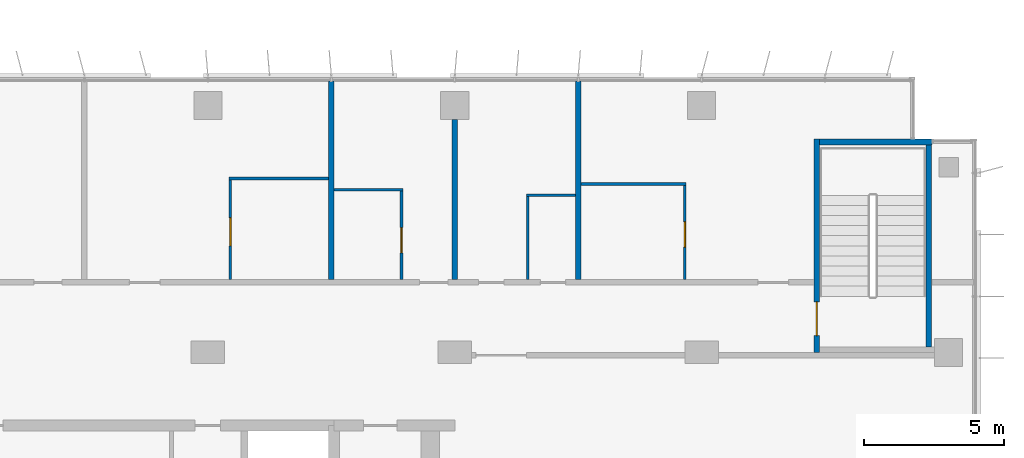
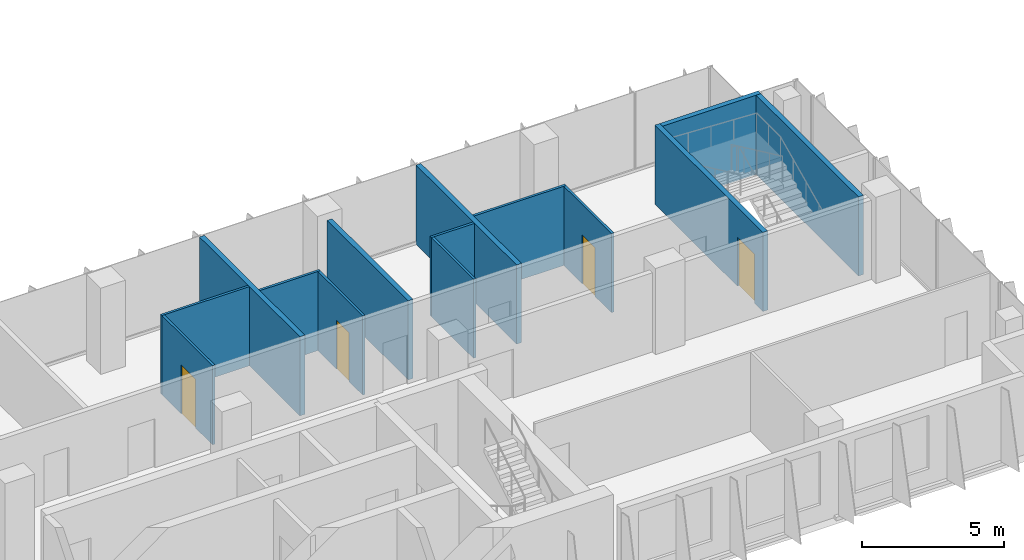
# One storey, part 15 of 21: 14 walls, 4 doors, 4 openings.
"""IFC4 building model written with IfcOpenShell, lengths in metres."""

from ifc_helpers import new_model, si_unit, direction, frame, frame_2d, origin, place, context, subcontext, project, spatial, rectangle, extrude, material, layer, layer_set, type_object, element, fill, save


model = new_model("IFC4")

# Units and contexts
model_context = context("Model", 3, precision=1e-05, world=origin(), true_north=direction((0.0, 1.0)))
body_context = subcontext(model_context, "Body", "Model", "MODEL_VIEW")
ifc_project = project(units=[si_unit("LENGTHUNIT", "METRE"), si_unit("AREAUNIT", "SQUARE_METRE"), si_unit("VOLUMEUNIT", "CUBIC_METRE"), si_unit("PLANEANGLEUNIT", "RADIAN"), si_unit("MASSUNIT", "GRAM", prefix="KILO")], contexts=[model_context])

# Site, building, storey
site_placement = place(None, origin())
site = spatial("IfcSite", under=ifc_project, at=site_placement, CompositionType="ELEMENT")
building_placement = place(site_placement, origin())
building = spatial("IfcBuilding", under=site, at=building_placement, Name="Kemantara Hotel Tower", CompositionType="ELEMENT")
storey_placement = place(building_placement, frame((0.0, 0.0, 179.0)))
storey = spatial("IfcBuildingStorey", under=building, at=storey_placement, Name="L44", CompositionType="ELEMENT", Elevation=179.0)

# Wall, opening, door
ifc_material_1 = material(Name="Concrete fc 40 MPa", Category="concrete")
ifc_layer_1 = layer(ifc_material_1, 0.199951171875)
ifc_layer_set_1 = layer_set([ifc_layer_1], Name="Concrete fc 40 MPa")
wall_type_1 = type_object("IfcWallType", Name="Concrete stair wall 200 mm", PredefinedType="SHEAR", material=ifc_layer_set_1)
wall_1_placement = place(storey_placement, frame((57.89990234375, 12.199951171875, 0.0), z_axis=(0.0, 0.0, 1.0), x_axis=(0.0, 1.0, 0.0)))
wall_1 = element("IfcWall", 1, at=wall_1_placement, inside=storey, type_object=wall_type_1, Name="Stair ST3 enclosure wall with door", PredefinedType="SHEAR", context=body_context, shape_type="SweptSolid", body=[
    extrude(rectangle(XDim=7.60009765625, YDim=0.199951171875, at=frame_2d((3.800048828125, 0.0))), origin(), (0.0, 0.0, 1.0), 3.39990234375),
])
opening_1_placement = place(wall_1_placement, frame((0.60009765625, 0.0, 0.0)))
opening_1 = element("IfcOpeningElement", 2, at=opening_1_placement, cuts=wall_1, Name="Opening ST3-C", PredefinedType="OPENING", context=body_context, shape_type="SweptSolid", body=[
    extrude(rectangle(XDim=1.199951171875, YDim=2.10009765625, at=frame_2d((0.60009765625, 1.050048828125))), frame((0.0, 0.10986328125, 0.0), z_axis=(0.0, -1.0, 0.0), x_axis=(1.0, 0.0, 0.0)), (0.0, 0.0, 1.0), 0.219970703125),
])
ifc_material_2 = material(Name="Steel fire door", Category="steel")
door_type_1 = type_object("IfcDoorType", Name="Fire door FD90 1200 x 2100", OperationType="NOTDEFINED", PredefinedType="DOOR", material=ifc_material_2)
door_1_placement = place(opening_1_placement, frame((1.199951171875, 0.0, 0.0), z_axis=(0.0, 0.0, 1.0), x_axis=(-1.0, 0.0, 0.0)))
door_1 = element("IfcDoor", 3, at=door_1_placement, inside=storey, type_object=door_type_1, Name="Stair ST3 door", OperationType="SINGLE_SWING_RIGHT", OverallHeight=2.10009765625, OverallWidth=1.199951171875, PredefinedType="DOOR", context=body_context, shape_type="SweptSolid", body=[
    extrude(rectangle(XDim=1.199951171875, YDim=2.10009765625, at=frame_2d((0.60009765625, 1.050048828125))), frame((0.0, 0.02490234375, 0.0), z_axis=(0.0, -1.0, 0.0), x_axis=(1.0, 0.0, 0.0)), (0.0, 0.0, 1.0), 0.050048828125),
])
fill(opening_1, door_1)

# Walls
wall_2_placement = place(storey_placement, frame((58.0, 19.699951171875, 0.0), z_axis=(0.0, 0.0, 1.0), x_axis=(1.0, 0.0, 0.0)))
element("IfcWall", 4, at=wall_2_placement, inside=storey, type_object=wall_type_1, Name="Stair ST3 enclosure wall N", PredefinedType="SHEAR", context=body_context, shape_type="SweptSolid", body=[
    extrude(rectangle(XDim=4.0, YDim=0.199951171875, at=frame_2d((2.0, 0.0))), origin(), (0.0, 0.0, 1.0), 3.39990234375),
])
wall_3_placement = place(storey_placement, frame((61.89990234375, 12.39990234375, 0.0), z_axis=(0.0, 0.0, 1.0), x_axis=(0.0, 1.0, 0.0)))
element("IfcWall", 5, at=wall_3_placement, inside=storey, type_object=wall_type_1, Name="Stair ST3 enclosure wall E", PredefinedType="SHEAR", context=body_context, shape_type="SweptSolid", body=[
    extrude(rectangle(XDim=7.2001953125, YDim=0.199951171875, at=frame_2d((3.60009765625, 0.0))), origin(), (0.0, 0.0, 1.0), 3.39990234375),
])
ifc_material_3 = material(Name="Gypsum board partition, steel studs and mineral wool, 200 mm", Category="steel")
ifc_layer_2 = layer(ifc_material_3, 0.199951171875)
ifc_layer_set_2 = layer_set([ifc_layer_2], Name="Gypsum board partition, steel studs and mineral wool, 200 mm")
wall_type_2 = type_object("IfcWallType", Name="GUEST ROOM PARTY WALL 200", PredefinedType="PARTITIONING", material=ifc_layer_set_2)
wall_4_placement = place(storey_placement, frame((40.60009765625, 14.800048828125, 0.0), z_axis=(0.0, 0.0, 1.0), x_axis=(0.0, 1.0, 0.0)))
element("IfcWall", 6, at=wall_4_placement, inside=storey, type_object=wall_type_2, Name="GUEST ROOM PARTY WALL 200 008", PredefinedType="PARTITIONING", context=body_context, shape_type="SweptSolid", body=[
    extrude(rectangle(XDim=7.070068359375, YDim=0.199951171875, at=frame_2d((3.53515625, 0.0))), origin(), (0.0, 0.0, 1.0), 3.39990234375),
])
wall_5_placement = place(storey_placement, frame((45.0, 14.800048828125, 0.0), z_axis=(0.0, 0.0, 1.0), x_axis=(0.0, 1.0, 0.0)))
element("IfcWall", 7, at=wall_5_placement, inside=storey, type_object=wall_type_2, Name="GUEST ROOM PARTY WALL 200 009", PredefinedType="PARTITIONING", context=body_context, shape_type="SweptSolid", body=[
    extrude(rectangle(XDim=5.699951171875, YDim=0.199951171875, at=frame_2d((2.85009765625, 0.0))), origin(), (0.0, 0.0, 1.0), 3.39990234375),
])
wall_6_placement = place(storey_placement, frame((49.39990234375, 14.800048828125, 0.0), z_axis=(0.0, 0.0, 1.0), x_axis=(0.0, 1.0, 0.0)))
element("IfcWall", 8, at=wall_6_placement, inside=storey, type_object=wall_type_2, Name="GUEST ROOM PARTY WALL 200 010", PredefinedType="PARTITIONING", context=body_context, shape_type="SweptSolid", body=[
    extrude(rectangle(XDim=7.070068359375, YDim=0.199951171875, at=frame_2d((3.53515625, 0.0))), origin(), (0.0, 0.0, 1.0), 3.39990234375),
])
ifc_material_4 = material(Name="Gypsum board partition on steel studs, 100 mm", Category="steel")
ifc_layer_3 = layer(ifc_material_4, 0.10009765625)
ifc_layer_set_3 = layer_set([ifc_layer_3], Name="Gypsum board partition on steel studs, 100 mm")
wall_type_3 = type_object("IfcWallType", Name="ROOM PARTITION 100", PredefinedType="PARTITIONING", material=ifc_layer_set_3)
wall_7_placement = place(storey_placement, frame((49.5, 18.199951171875, 0.0), z_axis=(0.0, 0.0, 1.0), x_axis=(1.0, 0.0, 0.0)))
element("IfcWall", 9, at=wall_7_placement, inside=storey, type_object=wall_type_3, Name="ROOM PARTITION 100 033", PredefinedType="PARTITIONING", context=body_context, shape_type="SweptSolid", body=[
    extrude(rectangle(XDim=3.75, YDim=0.10009765625, at=frame_2d((1.875, 0.0))), origin(), (0.0, 0.0, 1.0), 3.39990234375),
])
wall_8_placement = place(storey_placement, frame((36.949951171875, 18.39990234375, 0.0), z_axis=(0.0, 0.0, 1.0), x_axis=(1.0, 0.0, 0.0)))
element("IfcWall", 10, at=wall_8_placement, inside=storey, type_object=wall_type_3, Name="ROOM PARTITION 100 035", PredefinedType="PARTITIONING", context=body_context, shape_type="SweptSolid", body=[
    extrude(rectangle(XDim=3.550048828125, YDim=0.10009765625, at=frame_2d((1.77490234375, 0.0))), origin(), (0.0, 0.0, 1.0), 3.39990234375),
])

# Wall, opening, door
wall_9_placement = place(storey_placement, frame((37.0, 18.35009765625, 0.0), z_axis=(0.0, 0.0, 1.0), x_axis=(0.0, -1.0, 0.0)))
wall_9 = element("IfcWall", 11, at=wall_9_placement, inside=storey, type_object=wall_type_3, Name="ROOM PARTITION 100 036", PredefinedType="PARTITIONING", context=body_context, shape_type="SweptSolid", body=[
    extrude(rectangle(XDim=3.550048828125, YDim=0.10009765625, at=frame_2d((1.77490234375, 0.0))), origin(), (0.0, 0.0, 1.0), 3.39990234375),
])
opening_2_placement = place(wall_9_placement, frame((1.35009765625, 0.0, 0.0)))
opening_2 = element("IfcOpeningElement", 12, at=opening_2_placement, cuts=wall_9, Name="Opening F20-007", PredefinedType="OPENING", context=body_context, shape_type="SweptSolid", body=[
    extrude(rectangle(XDim=1.0, YDim=2.10009765625, at=frame_2d((0.5, 1.050048828125))), frame((0.0, 0.06005859375, 0.0), z_axis=(0.0, -1.0, 0.0), x_axis=(1.0, 0.0, 0.0)), (0.0, 0.0, 1.0), 0.1201171875),
])
ifc_material_5 = material(Name="Hardwood veneer door leaf with steel frame", Category="steel")
door_type_2 = type_object("IfcDoorType", Name="BATHROOM DOOR 1000 X 2100", OperationType="NOTDEFINED", PredefinedType="DOOR", material=ifc_material_5)
door_2_placement = place(opening_2_placement, origin())
door_2 = element("IfcDoor", 13, at=door_2_placement, inside=storey, type_object=door_type_2, Name="BATHROOM DOOR F20-007", OperationType="SINGLE_SWING_RIGHT", OverallHeight=2.10009765625, OverallWidth=1.0, PredefinedType="DOOR", context=body_context, shape_type="SweptSolid", body=[
    extrude(rectangle(XDim=1.0, YDim=2.10009765625, at=frame_2d((0.5, 1.050048828125))), frame((0.0, 0.02490234375, 0.0), z_axis=(0.0, -1.0, 0.0), x_axis=(1.0, 0.0, 0.0)), (0.0, 0.0, 1.0), 0.050048828125),
])
fill(opening_2, door_2)

# Wall
wall_10_placement = place(storey_placement, frame((40.699951171875, 18.0, 0.0), z_axis=(0.0, 0.0, 1.0), x_axis=(1.0, 0.0, 0.0)))
element("IfcWall", 14, at=wall_10_placement, inside=storey, type_object=wall_type_3, Name="ROOM PARTITION 100 038", PredefinedType="PARTITIONING", context=body_context, shape_type="SweptSolid", body=[
    extrude(rectangle(XDim=2.449951171875, YDim=0.10009765625, at=frame_2d((1.22509765625, 0.0))), origin(), (0.0, 0.0, 1.0), 3.39990234375),
])

# Wall, opening, door
wall_11_placement = place(storey_placement, frame((43.10009765625, 14.800048828125, 0.0), z_axis=(0.0, 0.0, 1.0), x_axis=(0.0, 1.0, 0.0)))
wall_11 = element("IfcWall", 15, at=wall_11_placement, inside=storey, type_object=wall_type_3, Name="ROOM PARTITION 100 039", PredefinedType="PARTITIONING", context=body_context, shape_type="SweptSolid", body=[
    extrude(rectangle(XDim=3.14990234375, YDim=0.10009765625, at=frame_2d((1.574951171875, 0.0))), origin(), (0.0, 0.0, 1.0), 3.39990234375),
])
opening_3_placement = place(wall_11_placement, frame((0.949951171875, 0.0, 0.0)))
opening_3 = element("IfcOpeningElement", 16, at=opening_3_placement, cuts=wall_11, Name="Opening F20-009", PredefinedType="OPENING", context=body_context, shape_type="SweptSolid", body=[
    extrude(rectangle(XDim=0.89990234375, YDim=2.10009765625, at=frame_2d((0.449951171875, 1.050048828125))), frame((0.0, 0.06005859375, 0.0), z_axis=(0.0, -1.0, 0.0), x_axis=(1.0, 0.0, 0.0)), (0.0, 0.0, 1.0), 0.1201171875),
])
door_type_3 = type_object("IfcDoorType", Name="BATHROOM DOOR 900 X 2100", OperationType="NOTDEFINED", PredefinedType="DOOR", material=ifc_material_5)
door_3_placement = place(opening_3_placement, origin())
door_3 = element("IfcDoor", 17, at=door_3_placement, inside=storey, type_object=door_type_3, Name="BATHROOM DOOR F20-009", OperationType="SINGLE_SWING_LEFT", OverallHeight=2.10009765625, OverallWidth=0.89990234375, PredefinedType="DOOR", context=body_context, shape_type="SweptSolid", body=[
    extrude(rectangle(XDim=0.89990234375, YDim=2.10009765625, at=frame_2d((0.449951171875, 1.050048828125))), frame((0.0, 0.02490234375, 0.0), z_axis=(0.0, -1.0, 0.0), x_axis=(1.0, 0.0, 0.0)), (0.0, 0.0, 1.0), 0.050048828125),
])
fill(opening_3, door_3)

# Walls
wall_12_placement = place(storey_placement, frame((47.550048828125, 17.800048828125, 0.0), z_axis=(0.0, 0.0, 1.0), x_axis=(1.0, 0.0, 0.0)))
element("IfcWall", 18, at=wall_12_placement, inside=storey, type_object=wall_type_3, Name="ROOM PARTITION 100 040", PredefinedType="PARTITIONING", context=body_context, shape_type="SweptSolid", body=[
    extrude(rectangle(XDim=1.75, YDim=0.10009765625, at=frame_2d((0.875, 0.0))), origin(), (0.0, 0.0, 1.0), 3.39990234375),
])
wall_13_placement = place(storey_placement, frame((47.60009765625, 14.800048828125, 0.0), z_axis=(0.0, 0.0, 1.0), x_axis=(0.0, 1.0, 0.0)))
element("IfcWall", 19, at=wall_13_placement, inside=storey, type_object=wall_type_3, Name="ROOM PARTITION 100 041", PredefinedType="PARTITIONING", context=body_context, shape_type="SweptSolid", body=[
    extrude(rectangle(XDim=2.949951171875, YDim=0.10009765625, at=frame_2d((1.47509765625, 0.0))), origin(), (0.0, 0.0, 1.0), 3.39990234375),
])

# Wall, opening, door
wall_14_placement = place(storey_placement, frame((53.199951171875, 14.800048828125, 0.0), z_axis=(0.0, 0.0, 1.0), x_axis=(0.0, 1.0, 0.0)))
wall_14 = element("IfcWall", 20, at=wall_14_placement, inside=storey, type_object=wall_type_3, Name="ROOM PARTITION 100 042", PredefinedType="PARTITIONING", context=body_context, shape_type="SweptSolid", body=[
    extrude(rectangle(XDim=3.349853515625, YDim=0.10009765625, at=frame_2d((1.6748046875, 0.0))), origin(), (0.0, 0.0, 1.0), 3.39990234375),
])
opening_4_placement = place(wall_14_placement, frame((1.14990234375, 0.0, 0.0)))
opening_4 = element("IfcOpeningElement", 21, at=opening_4_placement, cuts=wall_14, Name="Opening F20-013", PredefinedType="OPENING", context=body_context, shape_type="SweptSolid", body=[
    extrude(rectangle(XDim=0.89990234375, YDim=2.10009765625, at=frame_2d((0.449951171875, 1.050048828125))), frame((0.0, 0.06005859375, 0.0), z_axis=(0.0, -1.0, 0.0), x_axis=(1.0, 0.0, 0.0)), (0.0, 0.0, 1.0), 0.1201171875),
])
door_4_placement = place(opening_4_placement, origin())
door_4 = element("IfcDoor", 22, at=door_4_placement, inside=storey, type_object=door_type_3, Name="BATHROOM DOOR F20-013", OperationType="SINGLE_SWING_LEFT", OverallHeight=2.10009765625, OverallWidth=0.89990234375, PredefinedType="DOOR", context=body_context, shape_type="SweptSolid", body=[
    extrude(rectangle(XDim=0.89990234375, YDim=2.10009765625, at=frame_2d((0.449951171875, 1.050048828125))), frame((0.0, 0.02490234375, 0.0), z_axis=(0.0, -1.0, 0.0), x_axis=(1.0, 0.0, 0.0)), (0.0, 0.0, 1.0), 0.050048828125),
])
fill(opening_4, door_4)

save(model, "model.ifc")
